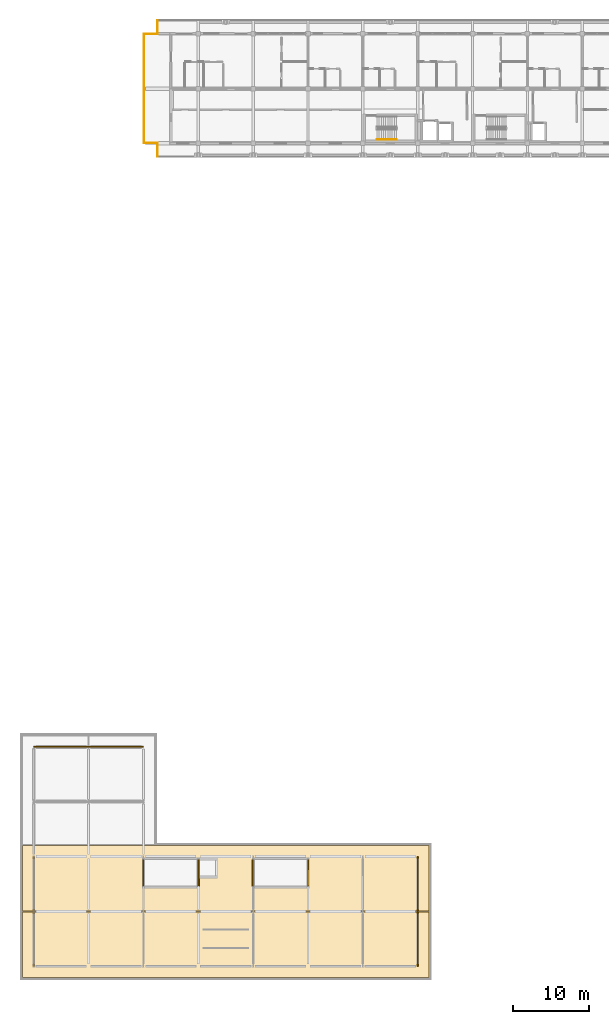
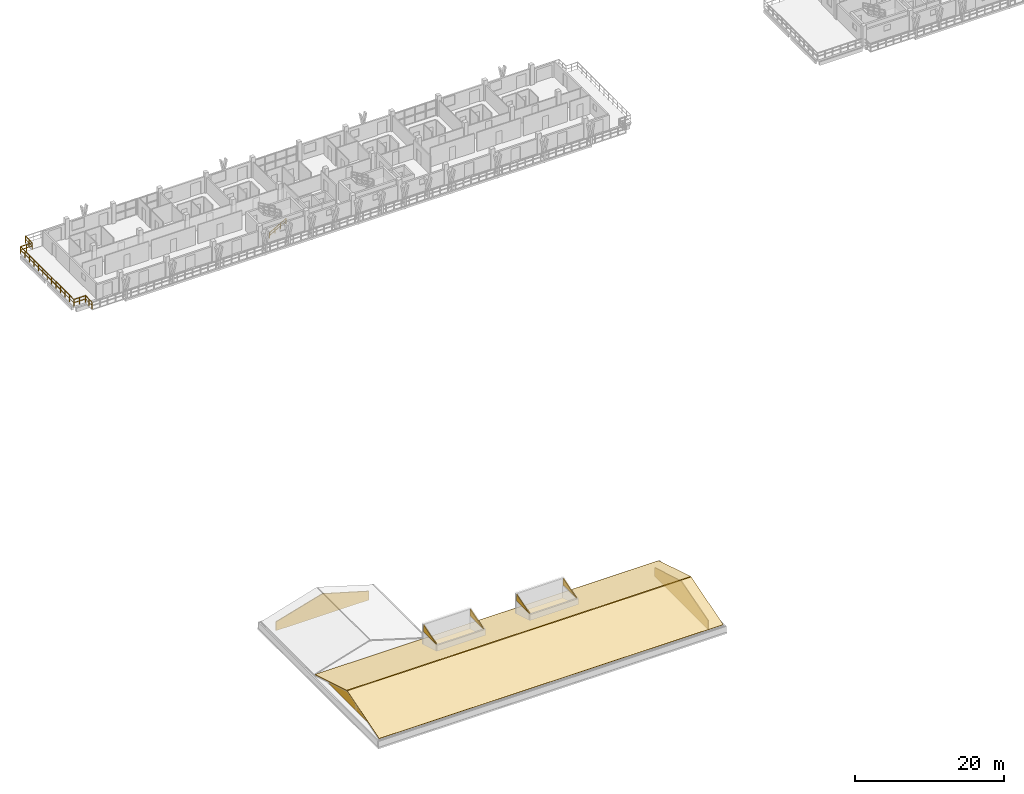
# One storey, part 49 of 60: 9 coverings, 6 railings.
"""IFC4 building model written with IfcOpenShell, lengths in metres."""

from ifc_helpers import new_model, si_unit, direction, frame, origin, origin_2d, place, context, subcontext, project, spatial, polyline, rectangle, outline, extrude, material, layer, layer_set, type_object, element, save


model = new_model("IFC4")

# Units and contexts
model_context = context("Model", 3, precision=1e-05, world=origin(), true_north=direction((0.0, 1.0)))
body_context = subcontext(model_context, "Body", "Model", "MODEL_VIEW")
ifc_project = project(units=[si_unit("LENGTHUNIT", "METRE"), si_unit("AREAUNIT", "SQUARE_METRE"), si_unit("VOLUMEUNIT", "CUBIC_METRE"), si_unit("PLANEANGLEUNIT", "RADIAN"), si_unit("MASSUNIT", "GRAM", prefix="KILO")], contexts=[model_context])

# Site, building, storey
site_placement = place(None, origin())
site = spatial("IfcSite", under=ifc_project, at=site_placement, CompositionType="ELEMENT")
building_placement = place(site_placement, origin())
building = spatial("IfcBuilding", under=site, at=building_placement, Name="Suanplinth Sawtooth Commons", CompositionType="ELEMENT")
storey_placement = place(building_placement, frame((0.0, 0.0, 31.5)))
storey = spatial("IfcBuildingStorey", under=building, at=storey_placement, Name="L09", CompositionType="ELEMENT", Elevation=31.5)

# Coverings
ifc_material_1 = material(Name="Insulated zinc-aluminium architectural wall panel", Category="aluminium")
ifc_layer_1 = layer(ifc_material_1, 0.139892578125, Name="Insulated architectural gable tympanum cladding 140mm")
ifc_layer_set_1 = layer_set([ifc_layer_1], Name="Insulated zinc-aluminium architectural wall panel")
covering_type_1 = type_object("IfcCoveringType", Name="CV-CL02", PredefinedType="CLADDING", material=ifc_layer_set_1)
for number, where, z_axis, x_axis, name in (
    (1, (0.0, 0.0, 0.0), (0.0, 0.0, 1.0), (0.0, 1.0, 0.0), "L09 Block D Crown W Gable Tympanum"),
    (2, (50.39990234375, 0.0, 0.0), (0.0, 0.0, 1.0), (0.0, 1.0, 0.0), "L09 Block D Crown E Gable Tympanum"),
    (3, (0.0, 28.800048828125, 0.0), (0.0, 0.0, 1.0), (1.0, 0.0, 0.0), "L09 Block D Return Wing Gable Tympanum"),
):
    element("IfcCovering", number, at=place(storey_placement, frame(where, z_axis=z_axis, x_axis=x_axis)), inside=storey, type_object=covering_type_1, Name=name, PredefinedType="CLADDING", context=body_context, shape_type="SweptSolid", body=[
        extrude(outline(polyline([(0.0, 0.0), (14.39990234375, 0.0), (14.39990234375, 1.449951171875), (7.199951171875, 3.5400390625), (0.0, 1.449951171875), (0.0, 0.0)])), frame((0.0, 0.06982421875, 0.0), z_axis=(0.0, -1.0, 0.0), x_axis=(1.0, 0.0, 0.0)), (0.0, 0.0, 1.0), 0.139892578125),
    ])
for number, where, z_axis, x_axis, name in (
    (4, (14.3701171875, 10.5048828125, 3.820068359375), (0.0, 0.0, 1.0), (0.0, 1.0, 0.0), "Stair ST-W1 Headhouse Rake Cladding W"),
    (5, (21.6298828125, 10.5048828125, 3.820068359375), (0.0, 0.0, 1.0), (0.0, 1.0, 0.0), "Stair ST-W1 Headhouse Rake Cladding E"),
    (6, (28.77001953125, 10.5048828125, 3.820068359375), (0.0, 0.0, 1.0), (0.0, 1.0, 0.0), "Stair ST-W2 Headhouse Rake Cladding W"),
    (7, (36.030029296875, 10.5048828125, 3.820068359375), (0.0, 0.0, 1.0), (0.0, 1.0, 0.0), "Stair ST-W2 Headhouse Rake Cladding E"),
):
    element("IfcCovering", number, at=place(storey_placement, frame(where, z_axis=z_axis, x_axis=x_axis)), inside=storey, type_object=covering_type_1, Name=name, PredefinedType="CLADDING", context=body_context, shape_type="SweptSolid", body=[
        extrude(outline(polyline([(0.0, 0.0), (3.490234375, 0.0), (3.489990234375, 1.099853515625), (0.0, 0.0), (0.0, 0.0)])), frame((0.0, 0.06982421875, 0.0), z_axis=(0.0, -1.0, 0.0), x_axis=(1.0, 0.0, 0.0)), (0.0, 0.0, 1.0), 0.139892578125),
    ])
ifc_material_2 = material(Name="Standing-seam zinc-aluminium alloy sheet", Category="aluminium")
ifc_layer_2 = layer(ifc_material_2, 0.06494140625, Name="Standing-seam zinc-aluminium roof cladding 65mm")
ifc_layer_set_2 = layer_set([ifc_layer_2], Name="Standing-seam zinc-aluminium alloy sheet")
covering_type_2 = type_object("IfcCoveringType", Name="CV-RF01", PredefinedType="ROOFING", material=ifc_layer_set_2)
covering_1_placement = place(storey_placement, frame((-1.449951171875, -1.449951171875, 1.155029296875), z_axis=(0.0, -0.290709251119, 0.956811439791), x_axis=(1.0, 0.0, 0.0)))
element("IfcCovering", 8, at=covering_1_placement, inside=storey, type_object=covering_type_2, Name="L09 Block D Crown South Standing-Seam Roof", PredefinedType="ROOFING", context=body_context, shape_type="SweptSolid", body=[
    extrude(outline(polyline([(0.0, 0.0), (53.300048828125, 0.0), (53.300048828125, 8.977572166027464), (0.0, 8.977572166027464), (0.0, 0.0)])), origin(), (0.0, 0.0, -1.0), 0.06494140625),
])
covering_2_placement = place(storey_placement, frame((-1.449951171875, 15.85009765625, 1.155029296875), z_axis=(0.0, 0.290701687048, 0.956813737959), x_axis=(1.0, 0.0, 0.0)))
element("IfcCovering", 9, at=covering_2_placement, inside=storey, type_object=covering_type_2, Name="L09 Block D Crown North Standing-Seam Roof", PredefinedType="ROOFING", context=body_context, shape_type="SweptSolid", body=[
    extrude(outline(polyline([(0.0, 0.0), (53.300048828125, 0.0), (53.300048828125, -8.977805762850926), (0.0, -8.977805762850926), (0.0, 0.0)])), origin(), (0.0, 0.0, -1.0), 0.06494140625),
])

# Railings
ifc_material_3 = material(Name="Powder-coated galvanized steel", Category="steel")
railing_type_1 = type_object("IfcRailingType", Name="GR-01", PredefinedType="BALUSTRADE", material=ifc_material_3)
railing_1_placement = place(storey_placement, frame((16.260009765625, 108.06005859375, 0.0)))
element("IfcRailing", 10, at=railing_1_placement, inside=storey, type_object=railing_type_1, Name="L09 Block A Perimeter Balustrade 1", PredefinedType="BALUSTRADE", context=body_context, shape_type="SweptSolid", body=[
    extrude(rectangle(XDim=0.048095703125, YDim=0.048095703125, at=origin_2d()), frame((0.0, 0.0, 1.09619140625), z_axis=(-1.0, 0.0, 0.0), x_axis=(0.0, -1.0, 0.0)), (0.0, 0.0, 1.0), 1.800048828125),
    extrude(rectangle(XDim=0.03369140625, YDim=0.03369140625, at=origin_2d()), frame((0.0, 0.0, 0.56005859375), z_axis=(-1.0, 0.0, 0.0), x_axis=(0.0, -1.0, 0.0)), (0.0, 0.0, 1.0), 1.800048828125),
    extrude(rectangle(XDim=0.0419921875, YDim=0.0419921875, at=origin_2d()), origin(), (0.0, 0.0, 1.0), 1.072021484375),
    extrude(rectangle(XDim=0.0419921875, YDim=0.0419921875, at=origin_2d()), frame((-0.89990234375, 0.0, 0.0)), (0.0, 0.0, 1.0), 1.072021484375),
    extrude(rectangle(XDim=0.0419921875, YDim=0.0419921875, at=origin_2d()), frame((-1.800048828125, 0.0, 0.0)), (0.0, 0.0, 1.0), 1.072021484375),
])
railing_2_placement = place(storey_placement, frame((14.4599609375, 108.06005859375, 0.0)))
element("IfcRailing", 11, at=railing_2_placement, inside=storey, type_object=railing_type_1, Name="L09 Block A Perimeter Balustrade 2", PredefinedType="BALUSTRADE", context=body_context, shape_type="SweptSolid", body=[
    extrude(rectangle(XDim=0.048095703125, YDim=0.048095703125, at=origin_2d()), frame((0.0, 0.0, 1.09619140625), z_axis=(0.0, 1.0, 0.0), x_axis=(-1.0, 0.0, 0.0)), (0.0, 0.0, 1.0), 14.280029296875),
    extrude(rectangle(XDim=0.03369140625, YDim=0.03369140625, at=origin_2d()), frame((0.0, 0.0, 0.56005859375), z_axis=(0.0, 1.0, 0.0), x_axis=(-1.0, 0.0, 0.0)), (0.0, 0.0, 1.0), 14.280029296875),
    extrude(rectangle(XDim=0.0419921875, YDim=0.0419921875, at=origin_2d()), origin(), (0.0, 0.0, 1.0), 1.072021484375),
    extrude(rectangle(XDim=0.0419921875, YDim=0.0419921875, at=origin_2d()), frame((0.0, 1.18994140625, 0.0)), (0.0, 0.0, 1.0), 1.072021484375),
    extrude(rectangle(XDim=0.0419921875, YDim=0.0419921875, at=origin_2d()), frame((0.0, 2.3798828125, 0.0)), (0.0, 0.0, 1.0), 1.072021484375),
    extrude(rectangle(XDim=0.0419921875, YDim=0.0419921875, at=origin_2d()), frame((0.0, 3.570068359375, 0.0)), (0.0, 0.0, 1.0), 1.072021484375),
    extrude(rectangle(XDim=0.0419921875, YDim=0.0419921875, at=origin_2d()), frame((0.0, 4.760009765625, 0.0)), (0.0, 0.0, 1.0), 1.072021484375),
    extrude(rectangle(XDim=0.0419921875, YDim=0.0419921875, at=origin_2d()), frame((0.0, 5.949951171875, 0.0)), (0.0, 0.0, 1.0), 1.072021484375),
    extrude(rectangle(XDim=0.0419921875, YDim=0.0419921875, at=origin_2d()), frame((0.0, 7.14013671875, 0.0)), (0.0, 0.0, 1.0), 1.072021484375),
    extrude(rectangle(XDim=0.0419921875, YDim=0.0419921875, at=origin_2d()), frame((0.0, 8.330078125, 0.0)), (0.0, 0.0, 1.0), 1.072021484375),
    extrude(rectangle(XDim=0.0419921875, YDim=0.0419921875, at=origin_2d()), frame((0.0, 9.52001953125, 0.0)), (0.0, 0.0, 1.0), 1.072021484375),
    extrude(rectangle(XDim=0.0419921875, YDim=0.0419921875, at=origin_2d()), frame((0.0, 10.7099609375, 0.0)), (0.0, 0.0, 1.0), 1.072021484375),
    extrude(rectangle(XDim=0.0419921875, YDim=0.0419921875, at=origin_2d()), frame((0.0, 11.89990234375, 0.0)), (0.0, 0.0, 1.0), 1.072021484375),
    extrude(rectangle(XDim=0.0419921875, YDim=0.0419921875, at=origin_2d()), frame((0.0, 13.090087890625, 0.0)), (0.0, 0.0, 1.0), 1.072021484375),
    extrude(rectangle(XDim=0.0419921875, YDim=0.0419921875, at=origin_2d()), frame((0.0, 14.280029296875, 0.0)), (0.0, 0.0, 1.0), 1.072021484375),
])
railing_3_placement = place(storey_placement, frame((14.4599609375, 122.340087890625, 0.0)))
element("IfcRailing", 12, at=railing_3_placement, inside=storey, type_object=railing_type_1, Name="L09 Block A Perimeter Balustrade 3", PredefinedType="BALUSTRADE", context=body_context, shape_type="SweptSolid", body=[
    extrude(rectangle(XDim=0.048095703125, YDim=0.048095703125, at=origin_2d()), frame((0.0, 0.0, 1.09619140625), z_axis=(1.0, 0.0, 0.0), x_axis=(0.0, 1.0, 0.0)), (0.0, 0.0, 1.0), 1.800048828125),
    extrude(rectangle(XDim=0.03369140625, YDim=0.03369140625, at=origin_2d()), frame((0.0, 0.0, 0.56005859375), z_axis=(1.0, 0.0, 0.0), x_axis=(0.0, 1.0, 0.0)), (0.0, 0.0, 1.0), 1.800048828125),
    extrude(rectangle(XDim=0.0419921875, YDim=0.0419921875, at=origin_2d()), origin(), (0.0, 0.0, 1.0), 1.072021484375),
    extrude(rectangle(XDim=0.0419921875, YDim=0.0419921875, at=origin_2d()), frame((0.89990234375, 0.0, 0.0)), (0.0, 0.0, 1.0), 1.072021484375),
    extrude(rectangle(XDim=0.0419921875, YDim=0.0419921875, at=origin_2d()), frame((1.800048828125, 0.0, 0.0)), (0.0, 0.0, 1.0), 1.072021484375),
])
railing_4_placement = place(storey_placement, frame((16.260009765625, 122.340087890625, 0.0)))
element("IfcRailing", 13, at=railing_4_placement, inside=storey, type_object=railing_type_1, Name="L09 Block A Perimeter Balustrade 4", PredefinedType="BALUSTRADE", context=body_context, shape_type="SweptSolid", body=[
    extrude(rectangle(XDim=0.048095703125, YDim=0.048095703125, at=origin_2d()), frame((0.0, 0.0, 1.09619140625), z_axis=(0.0, 1.0, 0.0), x_axis=(-1.0, 0.0, 0.0)), (0.0, 0.0, 1.0), 1.7998046875),
    extrude(rectangle(XDim=0.03369140625, YDim=0.03369140625, at=origin_2d()), frame((0.0, 0.0, 0.56005859375), z_axis=(0.0, 1.0, 0.0), x_axis=(-1.0, 0.0, 0.0)), (0.0, 0.0, 1.0), 1.7998046875),
    extrude(rectangle(XDim=0.0419921875, YDim=0.0419921875, at=origin_2d()), origin(), (0.0, 0.0, 1.0), 1.072021484375),
    extrude(rectangle(XDim=0.0419921875, YDim=0.0419921875, at=origin_2d()), frame((0.0, 0.89990234375, 0.0)), (0.0, 0.0, 1.0), 1.072021484375),
    extrude(rectangle(XDim=0.0419921875, YDim=0.0419921875, at=origin_2d()), frame((0.0, 1.7998046875, 0.0)), (0.0, 0.0, 1.0), 1.072021484375),
])
railing_5_placement = place(storey_placement, frame((16.260009765625, 106.260009765625, 0.0)))
element("IfcRailing", 14, at=railing_5_placement, inside=storey, type_object=railing_type_1, Name="L09 Block A Perimeter Balustrade 12", PredefinedType="BALUSTRADE", context=body_context, shape_type="SweptSolid", body=[
    extrude(rectangle(XDim=0.048095703125, YDim=0.048095703125, at=origin_2d()), frame((0.0, 0.0, 1.09619140625), z_axis=(0.0, 1.0, 0.0), x_axis=(-1.0, 0.0, 0.0)), (0.0, 0.0, 1.0), 1.800048828125),
    extrude(rectangle(XDim=0.03369140625, YDim=0.03369140625, at=origin_2d()), frame((0.0, 0.0, 0.56005859375), z_axis=(0.0, 1.0, 0.0), x_axis=(-1.0, 0.0, 0.0)), (0.0, 0.0, 1.0), 1.800048828125),
    extrude(rectangle(XDim=0.0419921875, YDim=0.0419921875, at=origin_2d()), origin(), (0.0, 0.0, 1.0), 1.072021484375),
    extrude(rectangle(XDim=0.0419921875, YDim=0.0419921875, at=origin_2d()), frame((0.0, 0.89990234375, 0.0)), (0.0, 0.0, 1.0), 1.072021484375),
    extrude(rectangle(XDim=0.0419921875, YDim=0.0419921875, at=origin_2d()), frame((0.0, 1.800048828125, 0.0)), (0.0, 0.0, 1.0), 1.072021484375),
])
ifc_material_4 = material(Name="Stainless steel Grade 304", Category="steel")
railing_type_2 = type_object("IfcRailingType", Name="HR-01", PredefinedType="HANDRAIL", material=ifc_material_4)
railing_6_placement = place(storey_placement, frame((45.050048828125, 108.5, 0.1650390625)))
element("IfcRailing", 15, at=railing_6_placement, inside=storey, type_object=railing_type_2, Name="L09 ST-N1 Handrail 1", PredefinedType="HANDRAIL", context=body_context, shape_type="SweptSolid", body=[
    extrude(rectangle(XDim=0.048095703125, YDim=0.048095703125, at=origin_2d()), frame((0.0, 0.0, 0.8759765625), z_axis=(0.865441324677, 0.0, 0.50101029285), x_axis=(0.0, 1.0, 0.0)), (0.0, 0.0, 1.0), 2.963623046875),
    extrude(rectangle(XDim=0.03369140625, YDim=0.03369140625, at=origin_2d()), frame((0.0, 0.0, 0.449951171875), z_axis=(0.865441324677, 0.0, 0.50101029285), x_axis=(0.0, 1.0, 0.0)), (0.0, 0.0, 1.0), 2.963623046875),
    extrude(rectangle(XDim=0.0419921875, YDim=0.0419921875, at=origin_2d()), origin(), (0.0, 0.0, 1.0), 0.851806640625),
    extrude(rectangle(XDim=0.0419921875, YDim=0.0419921875, at=origin_2d()), frame((0.85498046875, 0.0, 0.494873046875)), (0.0, 0.0, 1.0), 0.851806640625),
    extrude(rectangle(XDim=0.0419921875, YDim=0.0419921875, at=origin_2d()), frame((1.7099609375, 0.0, 0.989990234375)), (0.0, 0.0, 1.0), 0.851806640625),
    extrude(rectangle(XDim=0.0419921875, YDim=0.0419921875, at=origin_2d()), frame((2.56494140625, 0.0, 1.48486328125)), (0.0, 0.0, 1.0), 0.851806640625),
])

save(model, "model.ifc")
